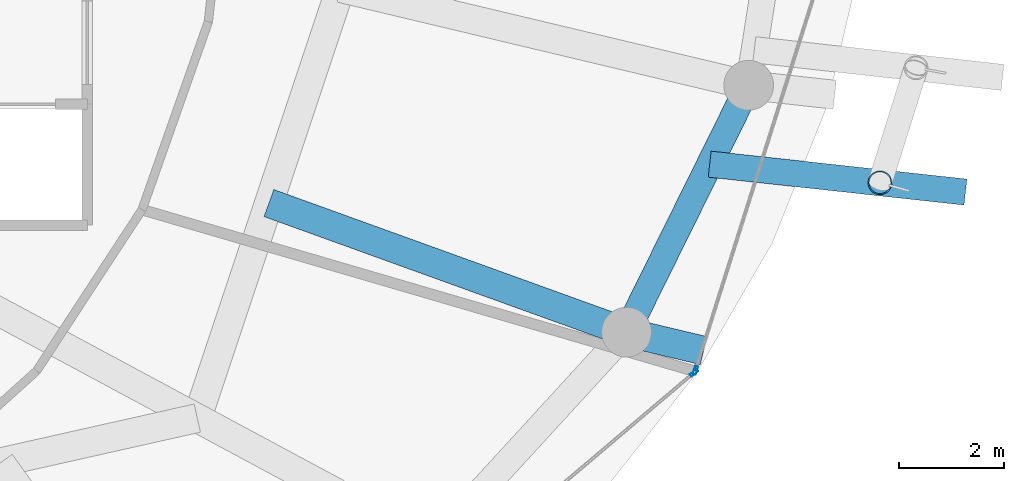
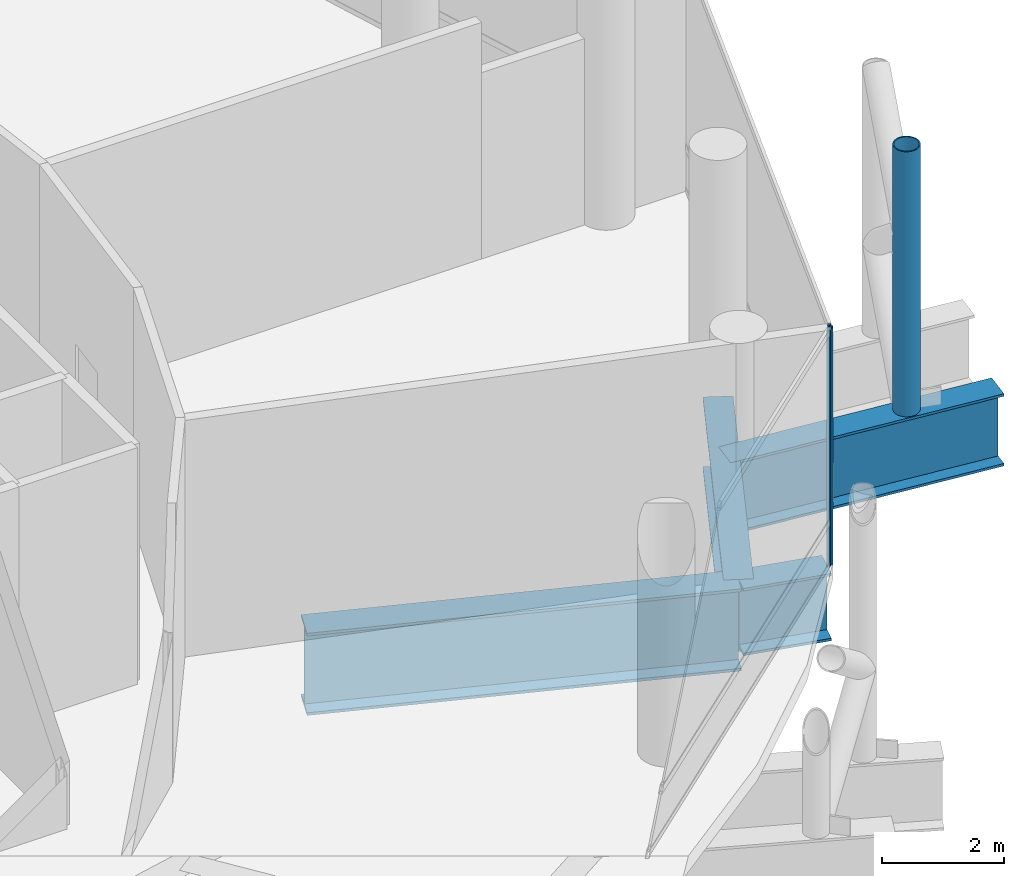
# One storey, part 10 of 29: 4 beams, 3 members, 2 elements without a shape of their own.
"""IFC4 building model written with IfcOpenShell, lengths in metres."""

import ifcopenshell
import ifcopenshell.guid

model = None  # the IFC model being written
_history = None  # IfcOwnerHistory: only IFC2X3 demands one
_inside = {}  # id of a spatial element -> (the spatial element, [elements in it])
_under = {}  # id of a project, library or spatial element -> (it, [spatial elements below it])
_declared = {}  # id of a project -> (the project, [libraries it declares])
_typed = {}  # id of a type object -> (the type object, [elements of that type])
_made_of = {}  # id of a material, layer set ... -> (it, [elements and type objects made of it])


def new_model(schema):
    """Start an empty IFC model of exactly this schema.

    Asked for "IFC4X3", IfcOpenShell would pick the latest addendum, in which some entities
    have other attributes; the version numbers below select the first issue.
    IFC2X3 requires an IfcOwnerHistory on every rooted entity: one is made here for all.
    """
    global model, _history
    if schema == "IFC4X3":
        model = ifcopenshell.file(schema_version=(4, 3, 0, 0))
    else:
        model = ifcopenshell.file(schema=schema)
    _inside.clear()
    _under.clear()
    _declared.clear()
    _typed.clear()
    _made_of.clear()
    _history = None
    if model.schema == "IFC2X3":
        org = make("IfcOrganization", Name="unknown")
        user = make(
            "IfcPersonAndOrganization",
            ThePerson=make("IfcPerson", FamilyName="unknown"),
            TheOrganization=org,
        )
        app = make(
            "IfcApplication",
            ApplicationDeveloper=org,
            Version="unknown",
            ApplicationFullName="unknown",
            ApplicationIdentifier="unknown",
        )
        _history = make(
            "IfcOwnerHistory",
            OwningUser=user,
            OwningApplication=app,
            ChangeAction="ADDED",
            CreationDate=0,
        )
    return model


def make(cls, **values):
    """One entity of the class cls with the attributes given. An attribute that is None is left unset."""
    return model.create_entity(
        cls, **{name: value for name, value in values.items() if value is not None}
    )


def rooted(cls, **values):
    """An entity with a GlobalId (a new one), such as an element, a storey or a relation."""
    return make(cls, GlobalId=ifcopenshell.guid.new(), OwnerHistory=_history, **values)


def si_unit(unit_type, name, prefix=None):
    """IfcSIUnit, for example si_unit("LENGTHUNIT", "METRE", prefix="MILLI")."""
    return make("IfcSIUnit", UnitType=unit_type, Prefix=prefix, Name=name)


def assignment(units):
    """IfcUnitAssignment: the units of a project."""
    return None if units is None else make("IfcUnitAssignment", Units=units)


def point(xyz):
    """IfcCartesianPoint."""
    return None if xyz is None else make("IfcCartesianPoint", Coordinates=xyz)


def direction(xyz):
    """IfcDirection."""
    return None if xyz is None else make("IfcDirection", DirectionRatios=xyz)


def frame(location, z_axis=None, x_axis=None):
    """IfcAxis2Placement3D, a coordinate frame: its origin and axes. An axis left out is left unset."""
    return make(
        "IfcAxis2Placement3D",
        Location=point(location),
        Axis=direction(z_axis),
        RefDirection=direction(x_axis),
    )


def frame_2d(location, x_axis=None):
    """IfcAxis2Placement2D, a coordinate frame in the plane: its origin and x axis."""
    return make(
        "IfcAxis2Placement2D", Location=point(location), RefDirection=direction(x_axis)
    )


def origin():
    """The frame at (0, 0, 0) with its axes left unset."""
    return frame((0.0, 0.0, 0.0))


def origin_2d():
    """The frame at (0, 0) in the plane with its x axis left unset."""
    return frame_2d((0.0, 0.0))


def place(relative_to, where):
    """IfcLocalPlacement: puts the frame where relative to a parent placement (None: the world)."""
    return make(
        "IfcLocalPlacement", PlacementRelTo=relative_to, RelativePlacement=where
    )


def context(
    kind, dimensions, precision=None, world=None, true_north=None, identifier=None
):
    """IfcGeometricRepresentationContext, for example the 3D "Model" context."""
    return make(
        "IfcGeometricRepresentationContext",
        ContextIdentifier=identifier,
        ContextType=kind,
        CoordinateSpaceDimension=dimensions,
        Precision=precision,
        WorldCoordinateSystem=world,
        TrueNorth=true_north,
    )


def subcontext(parent, identifier, kind, view, scale=None):
    """IfcGeometricRepresentationSubContext, for example "Body" below "Model"."""
    return make(
        "IfcGeometricRepresentationSubContext",
        ContextIdentifier=identifier,
        ContextType=kind,
        ParentContext=parent,
        TargetScale=scale,
        TargetView=view,
    )


def project(units=None, contexts=None):
    """IfcProject with its units and contexts."""
    return rooted(
        "IfcProject",
        Name="project",
        RepresentationContexts=contexts,
        UnitsInContext=assignment(units),
    )


def spatial(cls, under=None, at=None, **own):
    """A site, building, storey or space (cls), placed at a placement, below another one or the project."""
    s = rooted(cls, ObjectPlacement=at, **own)
    if under is not None:
        _under.setdefault(under.id(), (under, []))[1].append(s)
    return s


def profile(cls, at=None, kind="AREA", **sizes):
    """A parametric profile (cls). Its sizes go by their IFC names, for example OverallWidth=200.0."""
    return make(cls, ProfileType=kind, Position=at, **sizes)


def hollow_rectangle(**sizes):
    """IfcRectangleHollowProfileDef."""
    return profile("IfcRectangleHollowProfileDef", **sizes)


def hollow_circle(**sizes):
    """IfcCircleHollowProfileDef."""
    return profile("IfcCircleHollowProfileDef", **sizes)


def i_section(**sizes):
    """IfcIShapeProfileDef."""
    return profile("IfcIShapeProfileDef", **sizes)


def extrude(swept, where, along, depth):
    """IfcExtrudedAreaSolid: the profile swept, set in the frame where, extruded along a direction by depth."""
    return make(
        "IfcExtrudedAreaSolid",
        SweptArea=swept,
        Position=where,
        ExtrudedDirection=direction(along),
        Depth=depth,
    )


def shape(context_of_items, identifier, shape_type, items):
    """IfcShapeRepresentation: the items that make up one representation, for example the "Body"."""
    return make(
        "IfcShapeRepresentation",
        ContextOfItems=context_of_items,
        RepresentationIdentifier=identifier,
        RepresentationType=shape_type,
        Items=items,
    )


def material(Name=None, Category=None):
    """IfcMaterial."""
    return make("IfcMaterial", Name=Name, Category=Category)


def layer(
    of_material, thickness, ventilated=None, Name=None, Category=None, Priority=None
):
    """IfcMaterialLayer: one layer of a wall or slab, of a material (None: an air gap)."""
    return make(
        "IfcMaterialLayer",
        Material=of_material,
        LayerThickness=thickness,
        IsVentilated=ventilated,
        Name=Name,
        Category=Category,
        Priority=Priority,
    )


def layer_set(layers, Name=None):
    """IfcMaterialLayerSet."""
    return make("IfcMaterialLayerSet", MaterialLayers=layers, LayerSetName=Name)


def material_profile(
    of_material, cross_section, Name=None, Category=None, Priority=None
):
    """IfcMaterialProfile: a cross section and its material."""
    return make(
        "IfcMaterialProfile",
        Name=Name,
        Material=of_material,
        Profile=cross_section,
        Priority=Priority,
        Category=Category,
    )


def profile_set(profiles, Name=None, composite=None):
    """IfcMaterialProfileSet."""
    return make(
        "IfcMaterialProfileSet",
        Name=Name,
        MaterialProfiles=profiles,
        CompositeProfile=composite,
    )


def made_of(thing, what):
    """Note that an element or type object is made of a material, layer set ...; save() writes the relation."""
    if what is not None:
        _made_of.setdefault(what.id(), (what, []))[1].append(thing)
    return thing


def type_object(cls, material=None, **own):
    """A type object (cls), such as IfcWallType, which elements share."""
    return made_of(rooted(cls, **own), material)


def element(
    cls,
    number,
    at=None,
    inside=None,
    cuts=None,
    type_object=None,
    material=None,
    context=None,
    identifier="Body",
    shape_type=None,
    held_by="IfcProductDefinitionShape",
    body=None,
    shapes=None,
    **own,
):
    """One element of the class cls, such as IfcWall. Its Tag is "e" and its number.

    at: its placement. inside: the storey or other place that contains it. cuts: it is an
    opening in that element (IfcRelVoidsElement). A single representation is given by context,
    identifier, shape_type and body (its items); several are given by shapes. held_by: the class
    of the entity that holds the representations. save() writes the other relations.
    """
    e = rooted(cls, Tag="e%d" % number, ObjectPlacement=at, **own)
    if body is not None:
        shapes = [shape(context, identifier, shape_type, body)]
    if shapes is not None:
        e.Representation = make(held_by, Representations=shapes)
    if inside is not None:
        _inside.setdefault(inside.id(), (inside, []))[1].append(e)
    if cuts is not None:
        rooted(
            "IfcRelVoidsElement", RelatingBuildingElement=cuts, RelatedOpeningElement=e
        )
    if type_object is not None:
        _typed.setdefault(type_object.id(), (type_object, []))[1].append(e)
    return made_of(e, material)


def aggregate(whole, parts):
    """IfcRelAggregates: a whole, such as a stair, and the parts it consists of."""
    return rooted("IfcRelAggregates", RelatingObject=whole, RelatedObjects=parts)


def save(model, path):
    """Write the relations noted so far, then the file.

    IfcRelAggregates (storeys below a building ...), IfcRelContainedInSpatialStructure (elements
    in a storey), IfcRelDefinesByType, IfcRelAssociatesMaterial and IfcRelDeclares: one each for
    every whole, place, type object, material and project.
    """
    for whole, parts in _under.values():
        aggregate(whole, parts)
    for where, things in _inside.values():
        rooted(
            "IfcRelContainedInSpatialStructure",
            RelatedElements=things,
            RelatingStructure=where,
        )
    for kind, things in _typed.values():
        rooted("IfcRelDefinesByType", RelatedObjects=things, RelatingType=kind)
    for what, things in _made_of.values():
        rooted("IfcRelAssociatesMaterial", RelatedObjects=things, RelatingMaterial=what)
    for by, libraries in _declared.values():
        rooted("IfcRelDeclares", RelatingContext=by, RelatedDefinitions=libraries)
    model.write(path)


model = new_model("IFC4")

# Units and contexts
model_context = context("Model", 3, precision=1e-05, world=origin(), true_north=direction((0.0, 1.0)))
body_context = subcontext(model_context, "Body", "Model", "MODEL_VIEW")
ifc_project = project(units=[si_unit("LENGTHUNIT", "METRE"), si_unit("AREAUNIT", "SQUARE_METRE"), si_unit("VOLUMEUNIT", "CUBIC_METRE"), si_unit("PLANEANGLEUNIT", "RADIAN"), si_unit("MASSUNIT", "GRAM", prefix="KILO")], contexts=[model_context])

# Site, building, storey
site_placement = place(None, origin())
site = spatial("IfcSite", under=ifc_project, at=site_placement, CompositionType="ELEMENT")
building_placement = place(site_placement, origin())
building = spatial("IfcBuilding", under=site, at=building_placement, Name="Nuhasar Tower", CompositionType="ELEMENT")
storey_placement = place(building_placement, frame((0.0, 0.0, 113.25)))
storey = spatial("IfcBuildingStorey", under=building, at=storey_placement, Name="L26", CompositionType="ELEMENT", Elevation=113.25)

# Beams
ifc_material_1 = material(Name="Steel S460", Category="steel")
ifc_material_profile_1 = material_profile(ifc_material_1, i_section(OverallWidth=0.550048828125, OverallDepth=1.35009765625, WebThickness=0.028076171875, FlangeThickness=0.050048828125, at=origin_2d()), Name="PG1350X550")
ifc_profile_set_1 = profile_set([ifc_material_profile_1], Name="Steel S460")
beam_type_1 = type_object("IfcBeamType", Name="BM-XFER-PG1350", PredefinedType="USERDEFINED", material=ifc_profile_set_1)
beam_1_placement = place(storey_placement, frame((59.221923828125, 17.02490234375, -0.9951171875), z_axis=(0.972904802505, -0.231206066665, 0.0), x_axis=(0.231206066665, 0.972904802505, 0.0)))
element("IfcBeam", 1, at=beam_1_placement, inside=storey, type_object=beam_type_1, Name="L26 Outer Column Step Transfer Girder 23", ObjectType="GIRDER", PredefinedType="USERDEFINED", context=body_context, shape_type="SweptSolid", body=[
    extrude(i_section(OverallWidth=0.550048828125, OverallDepth=1.35009765625, WebThickness=0.028076171875, FlangeThickness=0.050048828125, at=origin_2d()), origin(), (0.0, 0.0, 1.0), 1.51318359375),
])
ifc_material_profile_2 = material_profile(ifc_material_1, i_section(OverallWidth=0.5, OverallDepth=1.449951171875, WebThickness=0.028076171875, FlangeThickness=0.050048828125, at=origin_2d()), Name="PG1450X500")
ifc_profile_set_2 = profile_set([ifc_material_profile_2], Name="Steel S460")
beam_type_2 = type_object("IfcBeamType", Name="BM-XFER-PG1450", PredefinedType="USERDEFINED", material=ifc_profile_set_2)
beam_2_placement = place(storey_placement, frame((59.221923828125, 17.02490234375, -1.044921875), z_axis=(0.443329327657, 0.896358804966, 0.0), x_axis=(-0.896358804966, 0.443329327657, 0.0)))
element("IfcBeam", 2, at=beam_2_placement, inside=storey, type_object=beam_type_2, Name="L26 Perimeter Ring Spandrel 23", ObjectType="GIRDER", PredefinedType="USERDEFINED", context=body_context, shape_type="SweptSolid", body=[
    extrude(i_section(OverallWidth=0.5, OverallDepth=1.449951171875, WebThickness=0.028076171875, FlangeThickness=0.050048828125, at=origin_2d()), origin(), (0.0, 0.0, 1.0), 5.26025390625),
])
beam_3_placement = place(storey_placement, frame((60.80908203125, 20.23388671875, -1.044921875), z_axis=(0.994095842058, -0.108505561161, 0.0), x_axis=(0.108505561161, 0.994095842058, 0.0)))
element("IfcBeam", 3, at=beam_3_placement, inside=storey, type_object=beam_type_2, Name="L26 Exoskeleton Step Transfer Girder 23", ObjectType="GIRDER", PredefinedType="USERDEFINED", context=body_context, shape_type="SweptSolid", body=[
    extrude(i_section(OverallWidth=0.5, OverallDepth=1.449951171875, WebThickness=0.028076171875, FlangeThickness=0.050048828125, at=origin_2d()), origin(), (0.0, 0.0, 1.0), 4.911865234375),
])
ifc_material_profile_3 = material_profile(ifc_material_1, i_section(OverallWidth=0.550048828125, OverallDepth=1.64990234375, WebThickness=0.031982421875, FlangeThickness=0.054931640625, at=origin_2d()), Name="PG1650X550")
ifc_profile_set_3 = profile_set([ifc_material_profile_3], Name="Steel S460")
beam_type_3 = type_object("IfcBeamType", Name="BM-XFER-PG1650", PredefinedType="USERDEFINED", material=ifc_profile_set_3)
beam_4_placement = place(storey_placement, frame((52.39501953125, 19.490966796875, -1.14501953125), z_axis=(0.940518974628, -0.339741163778, 0.0), x_axis=(0.339741163778, 0.940518974628, 0.0)))
element("IfcBeam", 4, at=beam_4_placement, inside=storey, type_object=beam_type_3, Name="L26 Inner Column Transfer Girder 23", ObjectType="GIRDER", PredefinedType="USERDEFINED", context=body_context, shape_type="SweptSolid", body=[
    extrude(i_section(OverallWidth=0.550048828125, OverallDepth=1.64990234375, WebThickness=0.031982421875, FlangeThickness=0.054931640625, at=origin_2d()), origin(), (0.0, 0.0, 1.0), 7.258544921875),
])

# Curtain wall, member
ifc_material_2 = material(Name="Aluminium 6063-T6", Category="aluminium")
ifc_layer = layer(ifc_material_2, 0.239990234375)
ifc_layer_set = layer_set([ifc_layer], Name="Aluminium 6063-T6")
curtain_wall_type = type_object("IfcCurtainWallType", Name="CW-SKY-LBY", PredefinedType="NOTDEFINED", material=ifc_layer_set)
curtain_wall_1_placement = place(storey_placement, origin())
curtain_wall_1 = element("IfcCurtainWall", 5, at=curtain_wall_1_placement, inside=storey, type_object=curtain_wall_type, Name="L26 Unitised Curtain Wall 11", PredefinedType="NOTDEFINED")
ifc_material_profile_4 = material_profile(ifc_material_2, hollow_rectangle(XDim=0.06005859375, YDim=0.159912109375, WallThickness=0.0048828125, at=origin_2d()), Name="CWM-6")
ifc_profile_set_4 = profile_set([ifc_material_profile_4], Name="Aluminium 6063-T6")
member_type_1 = type_object("IfcMemberType", Name="CW-MUL-S6", PredefinedType="MULLION", material=ifc_profile_set_4)
member_1_placement = place(storey_placement, frame((60.506103515625, 16.25048828125, 0.0), z_axis=(0.0, 0.0, 1.0), x_axis=(-0.646374438324, 0.763020370292, 0.0)))
member_1 = element("IfcMember", 6, at=member_1_placement, type_object=member_type_1, Name="CW-SL mullion 2", PredefinedType="MULLION", context=body_context, shape_type="SweptSolid", body=[
    extrude(hollow_rectangle(XDim=0.06005859375, YDim=0.159912109375, WallThickness=0.0048828125, at=origin_2d()), origin(), (0.0, 0.0, 1.0), 4.75),
])
aggregate(curtain_wall_1, [member_1])

curtain_wall_2_placement = place(storey_placement, origin())
curtain_wall_2 = element("IfcCurtainWall", 7, at=curtain_wall_2_placement, inside=storey, type_object=curtain_wall_type, Name="L26 Unitised Curtain Wall 12", PredefinedType="NOTDEFINED")
member_2_placement = place(storey_placement, frame((60.5380859375, 16.298583984375, 0.0), z_axis=(0.0, 0.0, 1.0), x_axis=(-0.953433389233, 0.301603667577, 0.0)))
member_2 = element("IfcMember", 8, at=member_2_placement, type_object=member_type_1, Name="CW-SL mullion 1", PredefinedType="MULLION", context=body_context, shape_type="SweptSolid", body=[
    extrude(hollow_rectangle(XDim=0.06005859375, YDim=0.159912109375, WallThickness=0.0048828125, at=origin_2d()), origin(), (0.0, 0.0, 1.0), 4.75),
])
aggregate(curtain_wall_2, [member_2])

# Member
ifc_material_profile_5 = material_profile(ifc_material_1, hollow_circle(Radius=0.228515625, WallThickness=0.022216796875, at=origin_2d()), Name="HSS457X22.2")
ifc_profile_set_5 = profile_set([ifc_material_profile_5], Name="Steel S460")
member_type_2 = type_object("IfcMemberType", Name="EXO-BRONZE-457", PredefinedType="BRACE", material=ifc_profile_set_5)
member_3_placement = place(storey_placement, frame((64.06005859375, 19.87890625, -0.320068359375), z_axis=(0.0, 0.0, 1.0), x_axis=(1.0, 0.0, 0.0)))
element("IfcMember", 9, at=member_3_placement, inside=storey, type_object=member_type_2, Name="L26 Exoskeleton Chord Column EC-12A", PredefinedType="BRACE", context=body_context, shape_type="SweptSolid", body=[
    extrude(hollow_circle(Radius=0.228515625, WallThickness=0.022216796875, at=origin_2d()), origin(), (0.0, 0.0, 1.0), 5.320068359375),
])

save(model, "model.ifc")
